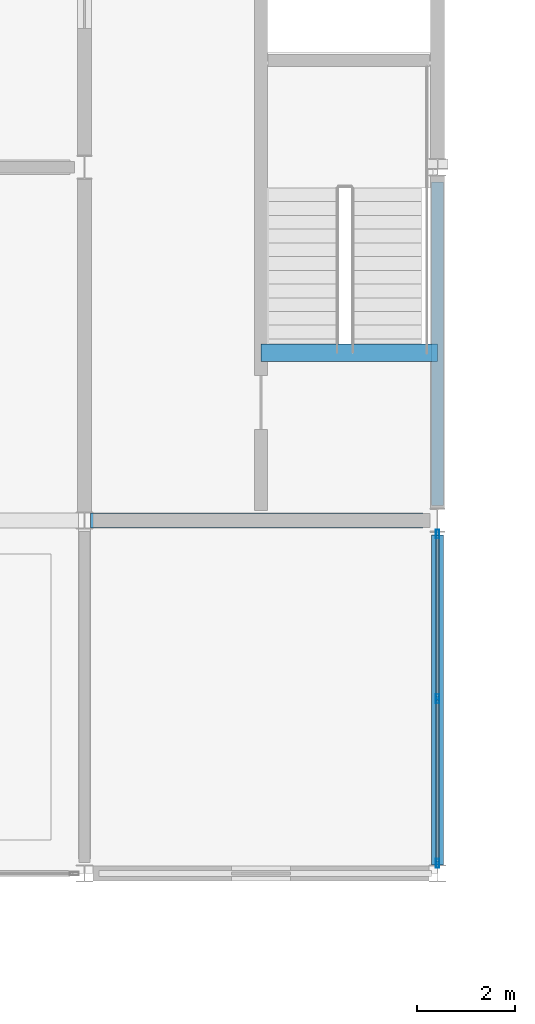
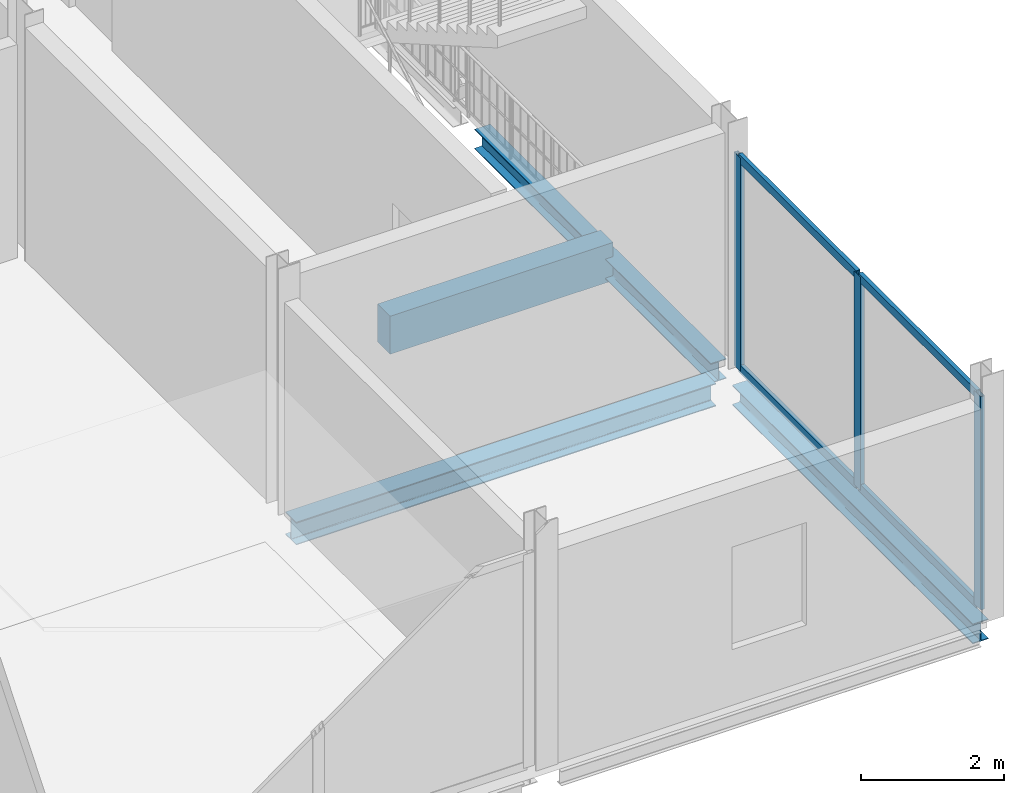
# One storey, part 13 of 26: 7 members, 4 beams, 1 element without a shape of its own.
"""IFC4 building model written with IfcOpenShell, lengths in metres."""

import ifcopenshell
import ifcopenshell.guid

model = None  # the IFC model being written
_history = None  # IfcOwnerHistory: only IFC2X3 demands one
_inside = {}  # id of a spatial element -> (the spatial element, [elements in it])
_under = {}  # id of a project, library or spatial element -> (it, [spatial elements below it])
_declared = {}  # id of a project -> (the project, [libraries it declares])
_typed = {}  # id of a type object -> (the type object, [elements of that type])
_made_of = {}  # id of a material, layer set ... -> (it, [elements and type objects made of it])


def new_model(schema):
    """Start an empty IFC model of exactly this schema.

    Asked for "IFC4X3", IfcOpenShell would pick the latest addendum, in which some entities
    have other attributes; the version numbers below select the first issue.
    IFC2X3 requires an IfcOwnerHistory on every rooted entity: one is made here for all.
    """
    global model, _history
    if schema == "IFC4X3":
        model = ifcopenshell.file(schema_version=(4, 3, 0, 0))
    else:
        model = ifcopenshell.file(schema=schema)
    _inside.clear()
    _under.clear()
    _declared.clear()
    _typed.clear()
    _made_of.clear()
    _history = None
    if model.schema == "IFC2X3":
        org = make("IfcOrganization", Name="unknown")
        user = make(
            "IfcPersonAndOrganization",
            ThePerson=make("IfcPerson", FamilyName="unknown"),
            TheOrganization=org,
        )
        app = make(
            "IfcApplication",
            ApplicationDeveloper=org,
            Version="unknown",
            ApplicationFullName="unknown",
            ApplicationIdentifier="unknown",
        )
        _history = make(
            "IfcOwnerHistory",
            OwningUser=user,
            OwningApplication=app,
            ChangeAction="ADDED",
            CreationDate=0,
        )
    return model


def make(cls, **values):
    """One entity of the class cls with the attributes given. An attribute that is None is left unset."""
    return model.create_entity(
        cls, **{name: value for name, value in values.items() if value is not None}
    )


def rooted(cls, **values):
    """An entity with a GlobalId (a new one), such as an element, a storey or a relation."""
    return make(cls, GlobalId=ifcopenshell.guid.new(), OwnerHistory=_history, **values)


def si_unit(unit_type, name, prefix=None):
    """IfcSIUnit, for example si_unit("LENGTHUNIT", "METRE", prefix="MILLI")."""
    return make("IfcSIUnit", UnitType=unit_type, Prefix=prefix, Name=name)


def assignment(units):
    """IfcUnitAssignment: the units of a project."""
    return None if units is None else make("IfcUnitAssignment", Units=units)


def point(xyz):
    """IfcCartesianPoint."""
    return None if xyz is None else make("IfcCartesianPoint", Coordinates=xyz)


def direction(xyz):
    """IfcDirection."""
    return None if xyz is None else make("IfcDirection", DirectionRatios=xyz)


def frame(location, z_axis=None, x_axis=None):
    """IfcAxis2Placement3D, a coordinate frame: its origin and axes. An axis left out is left unset."""
    return make(
        "IfcAxis2Placement3D",
        Location=point(location),
        Axis=direction(z_axis),
        RefDirection=direction(x_axis),
    )


def frame_2d(location, x_axis=None):
    """IfcAxis2Placement2D, a coordinate frame in the plane: its origin and x axis."""
    return make(
        "IfcAxis2Placement2D", Location=point(location), RefDirection=direction(x_axis)
    )


def origin():
    """The frame at (0, 0, 0) with its axes left unset."""
    return frame((0.0, 0.0, 0.0))


def origin_2d():
    """The frame at (0, 0) in the plane with its x axis left unset."""
    return frame_2d((0.0, 0.0))


def place(relative_to, where):
    """IfcLocalPlacement: puts the frame where relative to a parent placement (None: the world)."""
    return make(
        "IfcLocalPlacement", PlacementRelTo=relative_to, RelativePlacement=where
    )


def context(
    kind, dimensions, precision=None, world=None, true_north=None, identifier=None
):
    """IfcGeometricRepresentationContext, for example the 3D "Model" context."""
    return make(
        "IfcGeometricRepresentationContext",
        ContextIdentifier=identifier,
        ContextType=kind,
        CoordinateSpaceDimension=dimensions,
        Precision=precision,
        WorldCoordinateSystem=world,
        TrueNorth=true_north,
    )


def subcontext(parent, identifier, kind, view, scale=None):
    """IfcGeometricRepresentationSubContext, for example "Body" below "Model"."""
    return make(
        "IfcGeometricRepresentationSubContext",
        ContextIdentifier=identifier,
        ContextType=kind,
        ParentContext=parent,
        TargetScale=scale,
        TargetView=view,
    )


def project(units=None, contexts=None):
    """IfcProject with its units and contexts."""
    return rooted(
        "IfcProject",
        Name="project",
        RepresentationContexts=contexts,
        UnitsInContext=assignment(units),
    )


def spatial(cls, under=None, at=None, **own):
    """A site, building, storey or space (cls), placed at a placement, below another one or the project."""
    s = rooted(cls, ObjectPlacement=at, **own)
    if under is not None:
        _under.setdefault(under.id(), (under, []))[1].append(s)
    return s


def profile(cls, at=None, kind="AREA", **sizes):
    """A parametric profile (cls). Its sizes go by their IFC names, for example OverallWidth=200.0."""
    return make(cls, ProfileType=kind, Position=at, **sizes)


def rectangle(**sizes):
    """IfcRectangleProfileDef."""
    return profile("IfcRectangleProfileDef", **sizes)


def hollow_rectangle(**sizes):
    """IfcRectangleHollowProfileDef."""
    return profile("IfcRectangleHollowProfileDef", **sizes)


def i_section(**sizes):
    """IfcIShapeProfileDef."""
    return profile("IfcIShapeProfileDef", **sizes)


def extrude(swept, where, along, depth):
    """IfcExtrudedAreaSolid: the profile swept, set in the frame where, extruded along a direction by depth."""
    return make(
        "IfcExtrudedAreaSolid",
        SweptArea=swept,
        Position=where,
        ExtrudedDirection=direction(along),
        Depth=depth,
    )


def shape(context_of_items, identifier, shape_type, items):
    """IfcShapeRepresentation: the items that make up one representation, for example the "Body"."""
    return make(
        "IfcShapeRepresentation",
        ContextOfItems=context_of_items,
        RepresentationIdentifier=identifier,
        RepresentationType=shape_type,
        Items=items,
    )


def material(Name=None, Category=None):
    """IfcMaterial."""
    return make("IfcMaterial", Name=Name, Category=Category)


def material_profile(
    of_material, cross_section, Name=None, Category=None, Priority=None
):
    """IfcMaterialProfile: a cross section and its material."""
    return make(
        "IfcMaterialProfile",
        Name=Name,
        Material=of_material,
        Profile=cross_section,
        Priority=Priority,
        Category=Category,
    )


def profile_set(profiles, Name=None, composite=None):
    """IfcMaterialProfileSet."""
    return make(
        "IfcMaterialProfileSet",
        Name=Name,
        MaterialProfiles=profiles,
        CompositeProfile=composite,
    )


def made_of(thing, what):
    """Note that an element or type object is made of a material, layer set ...; save() writes the relation."""
    if what is not None:
        _made_of.setdefault(what.id(), (what, []))[1].append(thing)
    return thing


def type_object(cls, material=None, **own):
    """A type object (cls), such as IfcWallType, which elements share."""
    return made_of(rooted(cls, **own), material)


def element(
    cls,
    number,
    at=None,
    inside=None,
    cuts=None,
    type_object=None,
    material=None,
    context=None,
    identifier="Body",
    shape_type=None,
    held_by="IfcProductDefinitionShape",
    body=None,
    shapes=None,
    **own,
):
    """One element of the class cls, such as IfcWall. Its Tag is "e" and its number.

    at: its placement. inside: the storey or other place that contains it. cuts: it is an
    opening in that element (IfcRelVoidsElement). A single representation is given by context,
    identifier, shape_type and body (its items); several are given by shapes. held_by: the class
    of the entity that holds the representations. save() writes the other relations.
    """
    e = rooted(cls, Tag="e%d" % number, ObjectPlacement=at, **own)
    if body is not None:
        shapes = [shape(context, identifier, shape_type, body)]
    if shapes is not None:
        e.Representation = make(held_by, Representations=shapes)
    if inside is not None:
        _inside.setdefault(inside.id(), (inside, []))[1].append(e)
    if cuts is not None:
        rooted(
            "IfcRelVoidsElement", RelatingBuildingElement=cuts, RelatedOpeningElement=e
        )
    if type_object is not None:
        _typed.setdefault(type_object.id(), (type_object, []))[1].append(e)
    return made_of(e, material)


def aggregate(whole, parts):
    """IfcRelAggregates: a whole, such as a stair, and the parts it consists of."""
    return rooted("IfcRelAggregates", RelatingObject=whole, RelatedObjects=parts)


def save(model, path):
    """Write the relations noted so far, then the file.

    IfcRelAggregates (storeys below a building ...), IfcRelContainedInSpatialStructure (elements
    in a storey), IfcRelDefinesByType, IfcRelAssociatesMaterial and IfcRelDeclares: one each for
    every whole, place, type object, material and project.
    """
    for whole, parts in _under.values():
        aggregate(whole, parts)
    for where, things in _inside.values():
        rooted(
            "IfcRelContainedInSpatialStructure",
            RelatedElements=things,
            RelatingStructure=where,
        )
    for kind, things in _typed.values():
        rooted("IfcRelDefinesByType", RelatedObjects=things, RelatingType=kind)
    for what, things in _made_of.values():
        rooted("IfcRelAssociatesMaterial", RelatedObjects=things, RelatingMaterial=what)
    for by, libraries in _declared.values():
        rooted("IfcRelDeclares", RelatingContext=by, RelatedDefinitions=libraries)
    model.write(path)


model = new_model("IFC4")

# Units and contexts
model_context = context("Model", 3, precision=1e-05, world=origin(), true_north=direction((0.0, 1.0)))
body_context = subcontext(model_context, "Body", "Model", "MODEL_VIEW")
ifc_project = project(units=[si_unit("LENGTHUNIT", "METRE"), si_unit("AREAUNIT", "SQUARE_METRE"), si_unit("VOLUMEUNIT", "CUBIC_METRE"), si_unit("PLANEANGLEUNIT", "RADIAN"), si_unit("MASSUNIT", "GRAM", prefix="KILO")], contexts=[model_context])

# Site, building, storey
site_placement = place(None, origin())
site = spatial("IfcSite", under=ifc_project, at=site_placement, CompositionType="ELEMENT")
building_placement = place(site_placement, origin())
building = spatial("IfcBuilding", under=site, at=building_placement, Name="Vesperath Aquatics Centre", CompositionType="ELEMENT")
storey_placement = place(building_placement, frame((0.0, 0.0, 19.199951171875)))
storey = spatial("IfcBuildingStorey", under=building, at=storey_placement, Name="L04", CompositionType="ELEMENT", Elevation=19.199951171875)

# Beams
ifc_material_1 = material(Name="Concrete C35", Category="concrete")
ifc_material_profile_1 = material_profile(ifc_material_1, rectangle(XDim=0.35009765625, YDim=0.64990234375, at=origin_2d()), Name="RC 350x650")
ifc_profile_set_1 = profile_set([ifc_material_profile_1], Name="Concrete C35")
beam_type_1 = type_object("IfcBeamType", Name="BM-G05", PredefinedType="BEAM", material=ifc_profile_set_1)
beam_1_placement = place(storey_placement, frame((169.199951171875, 10.6201171875, -0.324951171875), z_axis=(1.0, 0.0, 0.0), x_axis=(0.0, 1.0, 0.0)))
element("IfcBeam", 1, at=beam_1_placement, inside=storey, type_object=beam_type_1, Name="Stair ST6 Landing Trimmer Beam B05 L04", PredefinedType="BEAM", context=body_context, shape_type="SweptSolid", body=[
    extrude(rectangle(XDim=0.35009765625, YDim=0.64990234375, at=origin_2d()), origin(), (0.0, 0.0, 1.0), 3.60009765625),
])
ifc_material_2 = material(Name="Steel Q355C", Category="steel")
ifc_material_profile_2 = material_profile(ifc_material_2, i_section(OverallWidth=0.300048828125, OverallDepth=0.389892578125, WebThickness=0.010009765625, FlangeThickness=0.01611328125, FilletRadius=0.02197265625, at=origin_2d()), Name="HM 390x300x10x16")
ifc_profile_set_2 = profile_set([ifc_material_profile_2], Name="Steel Q355C")
beam_type_2 = type_object("IfcBeamType", Name="BM-G11", PredefinedType="BEAM", material=ifc_profile_set_2)
beam_2_placement = place(storey_placement, frame((165.72509765625, 7.199951171875, -0.43505859375), z_axis=(1.0, 0.0, 0.0), x_axis=(0.0, 1.0, 0.0)))
element("IfcBeam", 2, at=beam_2_placement, inside=storey, type_object=beam_type_2, Name="Floor Girder B11 L04 B 24-25", PredefinedType="BEAM", context=body_context, shape_type="SweptSolid", body=[
    extrude(i_section(OverallWidth=0.300048828125, OverallDepth=0.389892578125, WebThickness=0.010009765625, FlangeThickness=0.01611328125, FilletRadius=0.02197265625, at=origin_2d()), origin(), (0.0, 0.0, 1.0), 6.77490234375),
])
ifc_material_profile_3 = material_profile(ifc_material_2, i_section(OverallWidth=0.25, OverallDepth=0.340087890625, WebThickness=0.009033203125, FlangeThickness=0.013916015625, FilletRadius=0.02001953125, at=origin_2d()), Name="HM 340x250x9x14")
ifc_profile_set_3 = profile_set([ifc_material_profile_3], Name="Steel Q355C")
beam_type_3 = type_object("IfcBeamType", Name="BM-G12", PredefinedType="BEAM", material=ifc_profile_set_3)
beam_3_placement = place(storey_placement, frame((172.800048828125, 0.175048828125, -0.409912109375), z_axis=(0.0, 1.0, 0.0), x_axis=(-1.0, 0.0, 0.0)))
element("IfcBeam", 3, at=beam_3_placement, inside=storey, type_object=beam_type_3, Name="Floor Girder B12 L04 25 A-B", PredefinedType="BEAM", context=body_context, shape_type="SweptSolid", body=[
    extrude(i_section(OverallWidth=0.25, OverallDepth=0.340087890625, WebThickness=0.009033203125, FlangeThickness=0.013916015625, FilletRadius=0.02001953125, at=origin_2d()), origin(), (0.0, 0.0, 1.0), 6.724853515625),
])
beam_4_placement = place(storey_placement, frame((172.800048828125, 7.5, -0.409912109375), z_axis=(0.0, 1.0, 0.0), x_axis=(-1.0, 0.0, 0.0)))
element("IfcBeam", 4, at=beam_4_placement, inside=storey, type_object=beam_type_3, Name="Floor Girder B12 L04 25 B-C", PredefinedType="BEAM", context=body_context, shape_type="SweptSolid", body=[
    extrude(i_section(OverallWidth=0.25, OverallDepth=0.340087890625, WebThickness=0.009033203125, FlangeThickness=0.013916015625, FilletRadius=0.02001953125, at=origin_2d()), origin(), (0.0, 0.0, 1.0), 6.60009765625),
])

# Curtain wall, members
ifc_material_3 = material(Name="Thermally broken anodised bronze aluminium curtain wall", Category="aluminium")
curtain_wall_type = type_object("IfcCurtainWallType", Name="CW-07", PredefinedType="NOTDEFINED", material=ifc_material_3)
curtain_wall_placement = place(storey_placement, origin())
curtain_wall = element("IfcCurtainWall", 5, at=curtain_wall_placement, inside=storey, type_object=curtain_wall_type, Name="Facade Curtain Wall CW07 L04_E_24_00", PredefinedType="NOTDEFINED")
ifc_material_4 = material(Name="Thermally broken anodised aluminium", Category="aluminium")
ifc_material_profile_4 = material_profile(ifc_material_4, hollow_rectangle(XDim=0.06494140625, YDim=0.179931640625, WallThickness=0.00390625, at=origin_2d()), Name="CWM 65x180x4")
ifc_profile_set_4 = profile_set([ifc_material_profile_4], Name="Thermally broken anodised aluminium")
member_type_1 = type_object("IfcMemberType", Name="MB-CWM3", PredefinedType="MULLION", material=ifc_profile_set_4)
member_1_placement = place(storey_placement, frame((172.800048828125, 0.20751953125, 0.0), z_axis=(0.0, 0.0, 1.0), x_axis=(-1.0, 0.0, 0.0)))
member_1 = element("IfcMember", 6, at=member_1_placement, type_object=member_type_1, Name="CW07 mullion 1", PredefinedType="MULLION", context=body_context, shape_type="SweptSolid", body=[
    extrude(hollow_rectangle(XDim=0.06494140625, YDim=0.179931640625, WallThickness=0.00390625, at=origin_2d()), origin(), (0.0, 0.0, 1.0), 3.64013671875),
])
member_2_placement = place(storey_placement, frame((172.800048828125, 3.5654296875, 0.0), z_axis=(0.0, 0.0, 1.0), x_axis=(-1.0, 0.0, 0.0)))
member_2 = element("IfcMember", 7, at=member_2_placement, type_object=member_type_1, Name="CW07 mullion 2", PredefinedType="MULLION", context=body_context, shape_type="SweptSolid", body=[
    extrude(hollow_rectangle(XDim=0.06494140625, YDim=0.179931640625, WallThickness=0.00390625, at=origin_2d()), origin(), (0.0, 0.0, 1.0), 3.64013671875),
])
member_3_placement = place(storey_placement, frame((172.800048828125, 6.923583984375, 0.0), z_axis=(0.0, 0.0, 1.0), x_axis=(-1.0, 0.0, 0.0)))
member_3 = element("IfcMember", 8, at=member_3_placement, type_object=member_type_1, Name="CW07 mullion 3", PredefinedType="MULLION", context=body_context, shape_type="SweptSolid", body=[
    extrude(hollow_rectangle(XDim=0.06494140625, YDim=0.179931640625, WallThickness=0.00390625, at=origin_2d()), origin(), (0.0, 0.0, 1.0), 3.64013671875),
])
ifc_material_profile_5 = material_profile(ifc_material_4, hollow_rectangle(XDim=0.06494140625, YDim=0.139892578125, WallThickness=0.00390625, at=origin_2d()), Name="CWT 65x140x4")
ifc_profile_set_5 = profile_set([ifc_material_profile_5], Name="Thermally broken anodised aluminium")
member_type_2 = type_object("IfcMemberType", Name="MB-CWT3", PredefinedType="USERDEFINED", material=ifc_profile_set_5)
member_4_placement = place(storey_placement, frame((172.800048828125, 0.239990234375, 0.032470703125), z_axis=(0.0, 1.0, 0.0), x_axis=(-1.0, 0.0, 0.0)))
member_4 = element("IfcMember", 9, at=member_4_placement, type_object=member_type_2, Name="CW07 transom 1.1", ObjectType="TRANSOM", PredefinedType="USERDEFINED", context=body_context, shape_type="SweptSolid", body=[
    extrude(hollow_rectangle(XDim=0.06494140625, YDim=0.139892578125, WallThickness=0.00390625, at=origin_2d()), origin(), (0.0, 0.0, 1.0), 3.29296875),
])
member_5_placement = place(storey_placement, frame((172.800048828125, 0.239990234375, 3.607666015625), z_axis=(0.0, 1.0, 0.0), x_axis=(-1.0, 0.0, 0.0)))
member_5 = element("IfcMember", 10, at=member_5_placement, type_object=member_type_2, Name="CW07 transom 1.2", ObjectType="TRANSOM", PredefinedType="USERDEFINED", context=body_context, shape_type="SweptSolid", body=[
    extrude(hollow_rectangle(XDim=0.06494140625, YDim=0.139892578125, WallThickness=0.00390625, at=origin_2d()), origin(), (0.0, 0.0, 1.0), 3.29296875),
])
member_6_placement = place(storey_placement, frame((172.800048828125, 3.597900390625, 0.032470703125), z_axis=(0.0, 1.0, 0.0), x_axis=(-1.0, 0.0, 0.0)))
member_6 = element("IfcMember", 11, at=member_6_placement, type_object=member_type_2, Name="CW07 transom 2.1", ObjectType="TRANSOM", PredefinedType="USERDEFINED", context=body_context, shape_type="SweptSolid", body=[
    extrude(hollow_rectangle(XDim=0.06494140625, YDim=0.139892578125, WallThickness=0.00390625, at=origin_2d()), origin(), (0.0, 0.0, 1.0), 3.293212890625),
])
member_7_placement = place(storey_placement, frame((172.800048828125, 3.597900390625, 3.607666015625), z_axis=(0.0, 1.0, 0.0), x_axis=(-1.0, 0.0, 0.0)))
member_7 = element("IfcMember", 12, at=member_7_placement, type_object=member_type_2, Name="CW07 transom 2.2", ObjectType="TRANSOM", PredefinedType="USERDEFINED", context=body_context, shape_type="SweptSolid", body=[
    extrude(hollow_rectangle(XDim=0.06494140625, YDim=0.139892578125, WallThickness=0.00390625, at=origin_2d()), origin(), (0.0, 0.0, 1.0), 3.293212890625),
])
aggregate(curtain_wall, [member_1, member_2, member_3, member_4, member_5, member_6, member_7])

save(model, "model.ifc")
